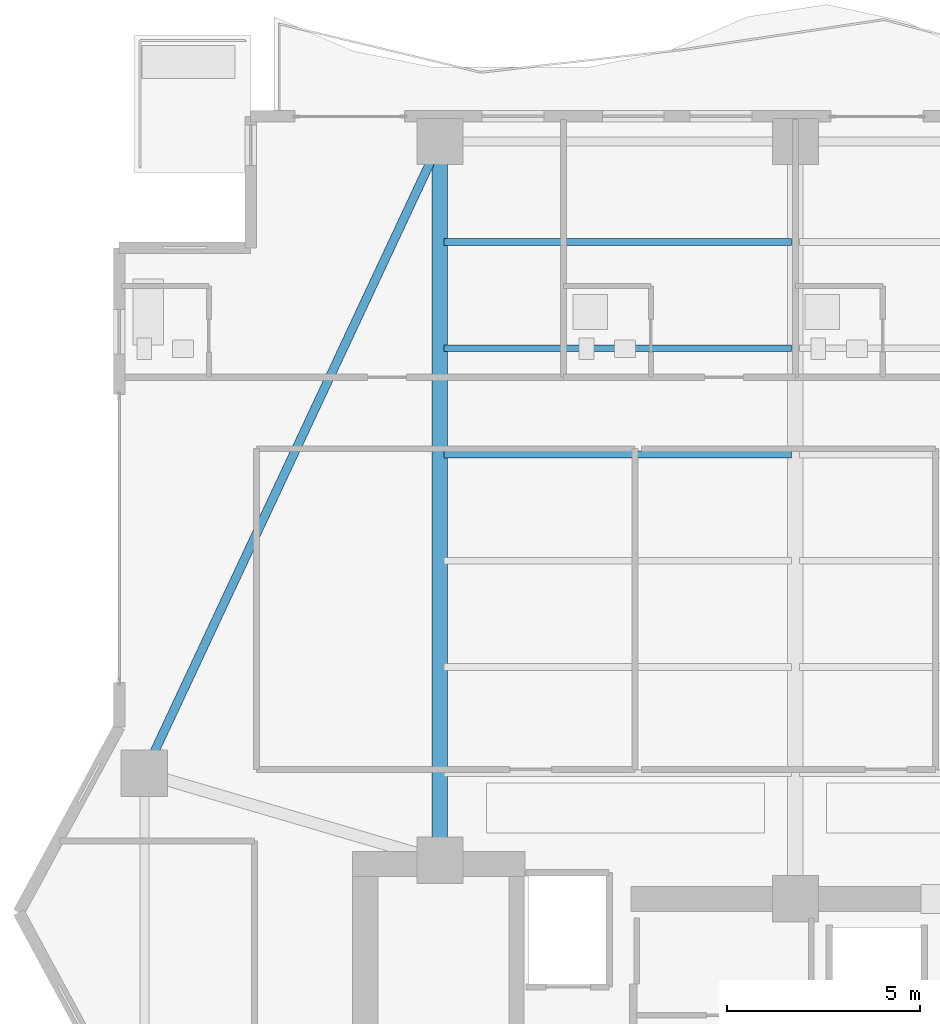
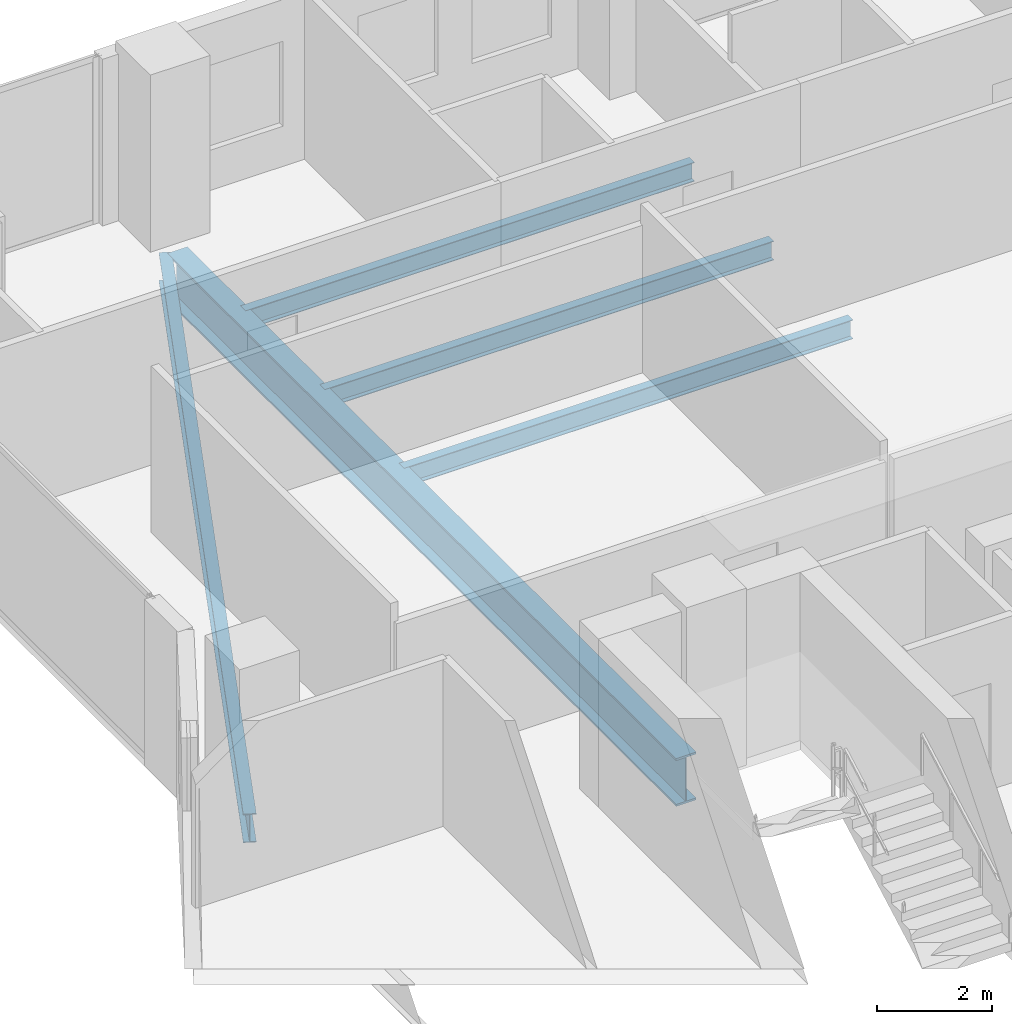
# One storey, part 16 of 32: 5 beams.
"""IFC4 building model written with IfcOpenShell, lengths in metres."""

from ifc_helpers import new_model, si_unit, direction, frame, origin, origin_2d, place, context, subcontext, project, spatial, i_section, extrude, material, material_profile, profile_set, type_object, element, save


model = new_model("IFC4")

# Units and contexts
model_context = context("Model", 3, precision=1e-05, world=origin(), true_north=direction((0.0, 1.0)))
body_context = subcontext(model_context, "Body", "Model", "MODEL_VIEW")
ifc_project = project(units=[si_unit("LENGTHUNIT", "METRE"), si_unit("AREAUNIT", "SQUARE_METRE"), si_unit("VOLUMEUNIT", "CUBIC_METRE"), si_unit("PLANEANGLEUNIT", "RADIAN"), si_unit("MASSUNIT", "GRAM", prefix="KILO")], contexts=[model_context])

# Site, building, storey
site_placement = place(None, origin())
site = spatial("IfcSite", under=ifc_project, at=site_placement, CompositionType="ELEMENT")
building_placement = place(site_placement, origin())
building = spatial("IfcBuilding", under=site, at=building_placement, Name="Zuhayl Quay Hotel", CompositionType="ELEMENT")
storey_placement = place(building_placement, frame((0.0, 0.0, 184.89990234375)))
storey = spatial("IfcBuildingStorey", under=building, at=storey_placement, Name="L46", CompositionType="ELEMENT", Elevation=184.89990234375)

# Beams
ifc_material = material(Name="Steel ASTM A992 Grade 50", Category="steel")
ifc_material_profile_1 = material_profile(ifc_material, i_section(OverallWidth=0.22802734375, OverallDepth=0.60693359375, WebThickness=0.01123046875, FlangeThickness=0.017333984375, at=origin_2d()), Name="W24X76")
ifc_profile_set_1 = profile_set([ifc_material_profile_1], Name="Steel ASTM A992 Grade 50")
beam_type_1 = type_object("IfcBeamType", Name="BM_B3_W24X76", PredefinedType="BEAM", material=ifc_profile_set_1)
beam_1_placement = place(storey_placement, frame((-14.011962890625, 32.4970703125, -0.5234375), z_axis=(-0.423792164429, -0.905759461098, 0.0), x_axis=(0.905759461098, -0.423792164429, 0.0)))
element("IfcBeam", 1, at=beam_1_placement, inside=storey, type_object=beam_type_1, Name="L46 Floor Beam RG_L46_10", PredefinedType="BEAM", context=body_context, shape_type="SweptSolid", body=[
    extrude(i_section(OverallWidth=0.22802734375, OverallDepth=0.60693359375, WebThickness=0.01123046875, FlangeThickness=0.017333984375, at=origin_2d()), origin(), (0.0, 0.0, 1.0), 17.051025390625),
])
ifc_material_profile_2 = material_profile(ifc_material, i_section(OverallWidth=0.177978515625, OverallDepth=0.406005859375, WebThickness=0.0078125, FlangeThickness=0.0126953125, at=origin_2d()), Name="W16X40")
ifc_profile_set_2 = profile_set([ifc_material_profile_2], Name="Steel ASTM A992 Grade 50")
beam_type_2 = type_object("IfcBeamType", Name="BM_J2B_W16X40", PredefinedType="JOIST", material=ifc_profile_set_2)
for number, where, z_axis, x_axis, name in (
    (2, (-13.694091796875, 24.85009765625, -0.4228515625), (1.0, 0.0, 0.0), (0.0, 1.0, 0.0), "L46 Floor Beam FJ_L46_4_1"),
    (3, (-13.694091796875, 27.60009765625, -0.4228515625), (1.0, 0.0, 0.0), (0.0, 1.0, 0.0), "L46 Floor Beam FJ_L46_5_1"),
    (4, (-13.694091796875, 30.35009765625, -0.4228515625), (1.0, 0.0, 0.0), (0.0, 1.0, 0.0), "L46 Floor Beam FJ_L46_6_1"),
):
    element("IfcBeam", number, at=place(storey_placement, frame(where, z_axis=z_axis, x_axis=x_axis)), inside=storey, type_object=beam_type_2, Name=name, PredefinedType="JOIST", context=body_context, shape_type="SweptSolid", body=[
        extrude(i_section(OverallWidth=0.177978515625, OverallDepth=0.406005859375, WebThickness=0.0078125, FlangeThickness=0.0126953125, at=origin_2d()), origin(), (0.0, 0.0, 1.0), 8.988037109375),
    ])
ifc_material_profile_3 = material_profile(ifc_material, i_section(OverallWidth=0.40087890625, OverallDepth=1.010986328125, WebThickness=0.023681640625, FlangeThickness=0.0419921875, at=origin_2d()), Name="W40X297")
ifc_profile_set_3 = profile_set([ifc_material_profile_3], Name="Steel ASTM A992 Grade 50")
beam_type_3 = type_object("IfcBeamType", Name="BM_TG2_W40X297", PredefinedType="BEAM", material=ifc_profile_set_3)
beam_2_placement = place(storey_placement, frame((-13.800048828125, 14.800048828125, -0.725341796875), z_axis=(0.0, 1.0, 0.0), x_axis=(-1.0, 0.0, 0.0)))
element("IfcBeam", 5, at=beam_2_placement, inside=storey, type_object=beam_type_3, Name="L46 Floor Beam FG_N_L46_1", PredefinedType="BEAM", context=body_context, shape_type="SweptSolid", body=[
    extrude(i_section(OverallWidth=0.40087890625, OverallDepth=1.010986328125, WebThickness=0.023681640625, FlangeThickness=0.0419921875, at=origin_2d()), origin(), (0.0, 0.0, 1.0), 17.64990234375),
])

save(model, "model.ifc")
